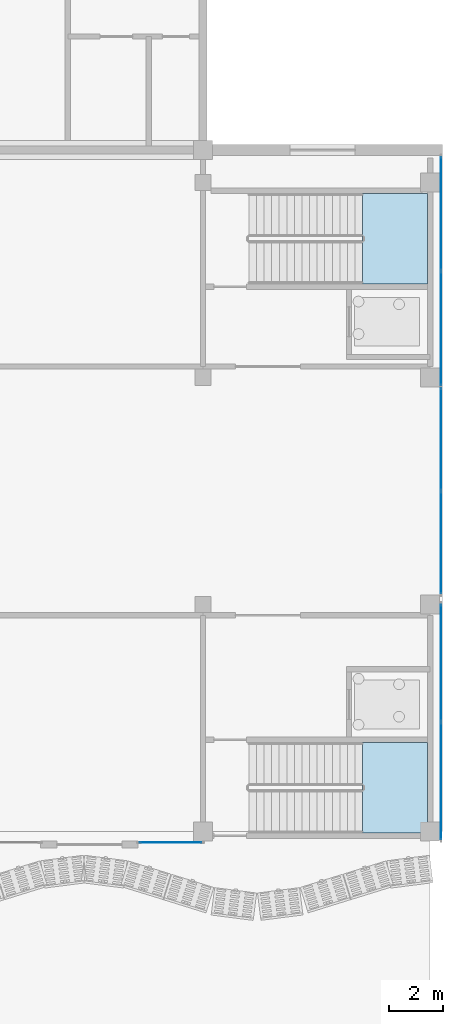
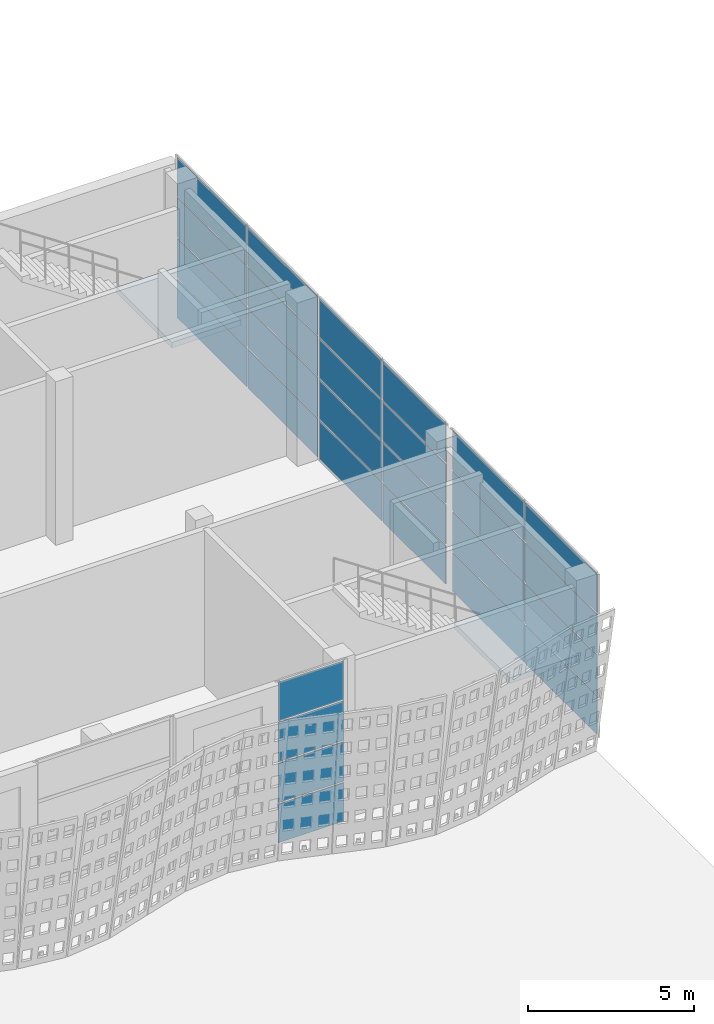
# One storey, part 96 of 210: 28 plates, 2 slabs, 6 elements without a shape of their own.
"""IFC4 building model written with IfcOpenShell, lengths in metres."""

from ifc_helpers import new_model, si_unit, direction, frame, origin, origin_2d, place, context, subcontext, project, spatial, polyline, rectangle, outline, extrude, material, layer, layer_set, type_object, element, aggregate, save


model = new_model("IFC4")

# Units and contexts
model_context = context("Model", 3, precision=1e-05, world=origin(), true_north=direction((0.0, 1.0)))
body_context = subcontext(model_context, "Body", "Model", "MODEL_VIEW")
ifc_project = project(units=[si_unit("LENGTHUNIT", "METRE"), si_unit("AREAUNIT", "SQUARE_METRE"), si_unit("VOLUMEUNIT", "CUBIC_METRE"), si_unit("PLANEANGLEUNIT", "RADIAN"), si_unit("MASSUNIT", "GRAM", prefix="KILO")], contexts=[model_context])

# Site, building, storey
site_placement = place(None, origin())
site = spatial("IfcSite", under=ifc_project, at=site_placement, CompositionType="ELEMENT")
building_placement = place(site_placement, origin())
building = spatial("IfcBuilding", under=site, at=building_placement, Name="Rain Tree Exposition and Congress Centre", CompositionType="ELEMENT")
storey_placement = place(building_placement, origin())
storey = spatial("IfcBuildingStorey", under=building, at=storey_placement, Name="L00", CompositionType="ELEMENT", Elevation=0.0)

# Curtain wall, plates
ifc_material_1 = material(Name="Aluminium curtain wall system", Category="aluminium")
ifc_layer_1 = layer(ifc_material_1, 0.10009765625)
ifc_layer_set_1 = layer_set([ifc_layer_1], Name="Aluminium curtain wall system")
curtain_wall_type = type_object("IfcCurtainWallType", Name="Concourse curtain wall 4200 module", PredefinedType="NOTDEFINED", material=ifc_layer_set_1)
curtain_wall_1_placement = place(storey_placement, origin())
curtain_wall_1 = element("IfcCurtainWall", 1, at=curtain_wall_1_placement, inside=storey, type_object=curtain_wall_type, Name="Concourse curtain wall CWC21", PredefinedType="NOTDEFINED")
ifc_material_2 = material(Name="Laminated low-e glass", Category="glass")
ifc_layer_2 = layer(ifc_material_2, 0.028076171875)
ifc_layer_set_2 = layer_set([ifc_layer_2], Name="Laminated low-e glass")
plate_type = type_object("IfcPlateType", Name="Concourse curtain wall glass panel 28", PredefinedType="CURTAIN_PANEL", material=ifc_layer_set_2)
plate_1_placement = place(storey_placement, frame((259.199951171875, 75.199951171875, 0.06005859375), z_axis=(0.0, 0.0, 1.0), x_axis=(1.0, 0.0, 0.0)))
plate_1 = element("IfcPlate", 2, at=plate_1_placement, type_object=plate_type, Name="CWC21 panel 1.1", PredefinedType="CURTAIN_PANEL", context=body_context, shape_type="SweptSolid", body=[
    extrude(rectangle(XDim=2.280029296875, YDim=0.028076171875, at=origin_2d()), origin(), (0.0, 0.0, 1.0), 1.409912109375),
])
plate_2_placement = place(storey_placement, frame((259.199951171875, 75.199951171875, 1.530029296875), z_axis=(0.0, 0.0, 1.0), x_axis=(1.0, 0.0, 0.0)))
plate_2 = element("IfcPlate", 3, at=plate_2_placement, type_object=plate_type, Name="CWC21 panel 1.2", PredefinedType="CURTAIN_PANEL", context=body_context, shape_type="SweptSolid", body=[
    extrude(rectangle(XDim=2.280029296875, YDim=0.028076171875, at=origin_2d()), origin(), (0.0, 0.0, 1.0), 1.43994140625),
])
plate_3_placement = place(storey_placement, frame((259.199951171875, 75.199951171875, 3.030029296875), z_axis=(0.0, 0.0, 1.0), x_axis=(1.0, 0.0, 0.0)))
plate_3 = element("IfcPlate", 4, at=plate_3_placement, type_object=plate_type, Name="CWC21 panel 1.3", PredefinedType="CURTAIN_PANEL", context=body_context, shape_type="SweptSolid", body=[
    extrude(rectangle(XDim=2.280029296875, YDim=0.028076171875, at=origin_2d()), origin(), (0.0, 0.0, 1.0), 1.43994140625),
])
plate_4_placement = place(storey_placement, frame((259.199951171875, 75.199951171875, 4.5302734375), z_axis=(0.0, 0.0, 1.0), x_axis=(1.0, 0.0, 0.0)))
plate_4 = element("IfcPlate", 5, at=plate_4_placement, type_object=plate_type, Name="CWC21 panel 1.4", PredefinedType="CURTAIN_PANEL", context=body_context, shape_type="SweptSolid", body=[
    extrude(rectangle(XDim=2.280029296875, YDim=0.028076171875, at=origin_2d()), origin(), (0.0, 0.0, 1.0), 1.409912109375),
])
aggregate(curtain_wall_1, [plate_1, plate_2, plate_3, plate_4])

curtain_wall_2_placement = place(storey_placement, origin())
curtain_wall_2 = element("IfcCurtainWall", 6, at=curtain_wall_2_placement, inside=storey, type_object=curtain_wall_type, Name="Concourse curtain wall CWC35", PredefinedType="NOTDEFINED")
plate_5_placement = place(storey_placement, frame((269.199951171875, 77.465087890625, 0.06005859375), z_axis=(0.0, 0.0, 1.0), x_axis=(0.0, 1.0, 0.0)))
plate_5 = element("IfcPlate", 7, at=plate_5_placement, type_object=plate_type, Name="CWC35 panel 1.1", PredefinedType="CURTAIN_PANEL", context=body_context, shape_type="SweptSolid", body=[
    extrude(rectangle(XDim=4.31005859375, YDim=0.028076171875, at=origin_2d()), origin(), (0.0, 0.0, 1.0), 1.409912109375),
])
plate_6_placement = place(storey_placement, frame((269.199951171875, 77.465087890625, 1.530029296875), z_axis=(0.0, 0.0, 1.0), x_axis=(0.0, 1.0, 0.0)))
plate_6 = element("IfcPlate", 8, at=plate_6_placement, type_object=plate_type, Name="CWC35 panel 1.2", PredefinedType="CURTAIN_PANEL", context=body_context, shape_type="SweptSolid", body=[
    extrude(rectangle(XDim=4.31005859375, YDim=0.028076171875, at=origin_2d()), origin(), (0.0, 0.0, 1.0), 1.43994140625),
])
plate_7_placement = place(storey_placement, frame((269.199951171875, 77.465087890625, 3.030029296875), z_axis=(0.0, 0.0, 1.0), x_axis=(0.0, 1.0, 0.0)))
plate_7 = element("IfcPlate", 9, at=plate_7_placement, type_object=plate_type, Name="CWC35 panel 1.3", PredefinedType="CURTAIN_PANEL", context=body_context, shape_type="SweptSolid", body=[
    extrude(rectangle(XDim=4.31005859375, YDim=0.028076171875, at=origin_2d()), origin(), (0.0, 0.0, 1.0), 1.43994140625),
])
plate_8_placement = place(storey_placement, frame((269.199951171875, 77.465087890625, 4.5302734375), z_axis=(0.0, 0.0, 1.0), x_axis=(0.0, 1.0, 0.0)))
plate_8 = element("IfcPlate", 10, at=plate_8_placement, type_object=plate_type, Name="CWC35 panel 1.4", PredefinedType="CURTAIN_PANEL", context=body_context, shape_type="SweptSolid", body=[
    extrude(rectangle(XDim=4.31005859375, YDim=0.028076171875, at=origin_2d()), origin(), (0.0, 0.0, 1.0), 1.409912109375),
])
plate_9_placement = place(storey_placement, frame((269.199951171875, 81.8349609375, 0.06005859375), z_axis=(0.0, 0.0, 1.0), x_axis=(0.0, 1.0, 0.0)))
plate_9 = element("IfcPlate", 11, at=plate_9_placement, type_object=plate_type, Name="CWC35 panel 2.1", PredefinedType="CURTAIN_PANEL", context=body_context, shape_type="SweptSolid", body=[
    extrude(rectangle(XDim=4.31005859375, YDim=0.028076171875, at=origin_2d()), origin(), (0.0, 0.0, 1.0), 1.409912109375),
])
plate_10_placement = place(storey_placement, frame((269.199951171875, 81.8349609375, 1.530029296875), z_axis=(0.0, 0.0, 1.0), x_axis=(0.0, 1.0, 0.0)))
plate_10 = element("IfcPlate", 12, at=plate_10_placement, type_object=plate_type, Name="CWC35 panel 2.2", PredefinedType="CURTAIN_PANEL", context=body_context, shape_type="SweptSolid", body=[
    extrude(rectangle(XDim=4.31005859375, YDim=0.028076171875, at=origin_2d()), origin(), (0.0, 0.0, 1.0), 1.43994140625),
])
plate_11_placement = place(storey_placement, frame((269.199951171875, 81.8349609375, 3.030029296875), z_axis=(0.0, 0.0, 1.0), x_axis=(0.0, 1.0, 0.0)))
plate_11 = element("IfcPlate", 13, at=plate_11_placement, type_object=plate_type, Name="CWC35 panel 2.3", PredefinedType="CURTAIN_PANEL", context=body_context, shape_type="SweptSolid", body=[
    extrude(rectangle(XDim=4.31005859375, YDim=0.028076171875, at=origin_2d()), origin(), (0.0, 0.0, 1.0), 1.43994140625),
])
plate_12_placement = place(storey_placement, frame((269.199951171875, 81.8349609375, 4.5302734375), z_axis=(0.0, 0.0, 1.0), x_axis=(0.0, 1.0, 0.0)))
plate_12 = element("IfcPlate", 14, at=plate_12_placement, type_object=plate_type, Name="CWC35 panel 2.4", PredefinedType="CURTAIN_PANEL", context=body_context, shape_type="SweptSolid", body=[
    extrude(rectangle(XDim=4.31005859375, YDim=0.028076171875, at=origin_2d()), origin(), (0.0, 0.0, 1.0), 1.409912109375),
])
aggregate(curtain_wall_2, [plate_5, plate_6, plate_7, plate_8, plate_9, plate_10, plate_11, plate_12])

curtain_wall_3_placement = place(storey_placement, origin())
curtain_wall_3 = element("IfcCurtainWall", 15, at=curtain_wall_3_placement, inside=storey, type_object=curtain_wall_type, Name="Concourse curtain wall CWC36", PredefinedType="NOTDEFINED")
plate_13_placement = place(storey_placement, frame((269.199951171875, 86.2900390625, 0.06005859375), z_axis=(0.0, 0.0, 1.0), x_axis=(0.0, 1.0, 0.0)))
plate_13 = element("IfcPlate", 16, at=plate_13_placement, type_object=plate_type, Name="CWC36 panel 1.1", PredefinedType="CURTAIN_PANEL", context=body_context, shape_type="SweptSolid", body=[
    extrude(rectangle(XDim=3.760009765625, YDim=0.028076171875, at=origin_2d()), origin(), (0.0, 0.0, 1.0), 1.409912109375),
])
plate_14_placement = place(storey_placement, frame((269.199951171875, 86.2900390625, 1.530029296875), z_axis=(0.0, 0.0, 1.0), x_axis=(0.0, 1.0, 0.0)))
plate_14 = element("IfcPlate", 17, at=plate_14_placement, type_object=plate_type, Name="CWC36 panel 1.2", PredefinedType="CURTAIN_PANEL", context=body_context, shape_type="SweptSolid", body=[
    extrude(rectangle(XDim=3.760009765625, YDim=0.028076171875, at=origin_2d()), origin(), (0.0, 0.0, 1.0), 1.43994140625),
])
plate_15_placement = place(storey_placement, frame((269.199951171875, 86.2900390625, 3.030029296875), z_axis=(0.0, 0.0, 1.0), x_axis=(0.0, 1.0, 0.0)))
plate_15 = element("IfcPlate", 18, at=plate_15_placement, type_object=plate_type, Name="CWC36 panel 1.3", PredefinedType="CURTAIN_PANEL", context=body_context, shape_type="SweptSolid", body=[
    extrude(rectangle(XDim=3.760009765625, YDim=0.028076171875, at=origin_2d()), origin(), (0.0, 0.0, 1.0), 1.43994140625),
])
plate_16_placement = place(storey_placement, frame((269.199951171875, 86.2900390625, 4.5302734375), z_axis=(0.0, 0.0, 1.0), x_axis=(0.0, 1.0, 0.0)))
plate_16 = element("IfcPlate", 19, at=plate_16_placement, type_object=plate_type, Name="CWC36 panel 1.4", PredefinedType="CURTAIN_PANEL", context=body_context, shape_type="SweptSolid", body=[
    extrude(rectangle(XDim=3.760009765625, YDim=0.028076171875, at=origin_2d()), origin(), (0.0, 0.0, 1.0), 1.409912109375),
])
plate_17_placement = place(storey_placement, frame((269.199951171875, 90.110107421875, 0.06005859375), z_axis=(0.0, 0.0, 1.0), x_axis=(0.0, 1.0, 0.0)))
plate_17 = element("IfcPlate", 20, at=plate_17_placement, type_object=plate_type, Name="CWC36 panel 2.1", PredefinedType="CURTAIN_PANEL", context=body_context, shape_type="SweptSolid", body=[
    extrude(rectangle(XDim=3.760009765625, YDim=0.028076171875, at=origin_2d()), origin(), (0.0, 0.0, 1.0), 1.409912109375),
])
plate_18_placement = place(storey_placement, frame((269.199951171875, 90.110107421875, 1.530029296875), z_axis=(0.0, 0.0, 1.0), x_axis=(0.0, 1.0, 0.0)))
plate_18 = element("IfcPlate", 21, at=plate_18_placement, type_object=plate_type, Name="CWC36 panel 2.2", PredefinedType="CURTAIN_PANEL", context=body_context, shape_type="SweptSolid", body=[
    extrude(rectangle(XDim=3.760009765625, YDim=0.028076171875, at=origin_2d()), origin(), (0.0, 0.0, 1.0), 1.43994140625),
])
plate_19_placement = place(storey_placement, frame((269.199951171875, 90.110107421875, 3.030029296875), z_axis=(0.0, 0.0, 1.0), x_axis=(0.0, 1.0, 0.0)))
plate_19 = element("IfcPlate", 22, at=plate_19_placement, type_object=plate_type, Name="CWC36 panel 2.3", PredefinedType="CURTAIN_PANEL", context=body_context, shape_type="SweptSolid", body=[
    extrude(rectangle(XDim=3.760009765625, YDim=0.028076171875, at=origin_2d()), origin(), (0.0, 0.0, 1.0), 1.43994140625),
])
plate_20_placement = place(storey_placement, frame((269.199951171875, 90.110107421875, 4.5302734375), z_axis=(0.0, 0.0, 1.0), x_axis=(0.0, 1.0, 0.0)))
plate_20 = element("IfcPlate", 23, at=plate_20_placement, type_object=plate_type, Name="CWC36 panel 2.4", PredefinedType="CURTAIN_PANEL", context=body_context, shape_type="SweptSolid", body=[
    extrude(rectangle(XDim=3.760009765625, YDim=0.028076171875, at=origin_2d()), origin(), (0.0, 0.0, 1.0), 1.409912109375),
])
aggregate(curtain_wall_3, [plate_13, plate_14, plate_15, plate_16, plate_17, plate_18, plate_19, plate_20])

curtain_wall_4_placement = place(storey_placement, origin())
curtain_wall_4 = element("IfcCurtainWall", 24, at=curtain_wall_4_placement, inside=storey, type_object=curtain_wall_type, Name="Concourse curtain wall CWC37", PredefinedType="NOTDEFINED")
plate_21_placement = place(storey_placement, frame((269.199951171875, 94.202392578125, 0.06005859375), z_axis=(0.0, 0.0, 1.0), x_axis=(0.0, 1.0, 0.0)))
plate_21 = element("IfcPlate", 25, at=plate_21_placement, type_object=plate_type, Name="CWC37 panel 1.1", PredefinedType="CURTAIN_PANEL", context=body_context, shape_type="SweptSolid", body=[
    extrude(rectangle(XDim=4.18505859375, YDim=0.028076171875, at=origin_2d()), origin(), (0.0, 0.0, 1.0), 1.409912109375),
])
plate_22_placement = place(storey_placement, frame((269.199951171875, 94.202392578125, 1.530029296875), z_axis=(0.0, 0.0, 1.0), x_axis=(0.0, 1.0, 0.0)))
plate_22 = element("IfcPlate", 26, at=plate_22_placement, type_object=plate_type, Name="CWC37 panel 1.2", PredefinedType="CURTAIN_PANEL", context=body_context, shape_type="SweptSolid", body=[
    extrude(rectangle(XDim=4.18505859375, YDim=0.028076171875, at=origin_2d()), origin(), (0.0, 0.0, 1.0), 1.43994140625),
])
plate_23_placement = place(storey_placement, frame((269.199951171875, 94.202392578125, 3.030029296875), z_axis=(0.0, 0.0, 1.0), x_axis=(0.0, 1.0, 0.0)))
plate_23 = element("IfcPlate", 27, at=plate_23_placement, type_object=plate_type, Name="CWC37 panel 1.3", PredefinedType="CURTAIN_PANEL", context=body_context, shape_type="SweptSolid", body=[
    extrude(rectangle(XDim=4.18505859375, YDim=0.028076171875, at=origin_2d()), origin(), (0.0, 0.0, 1.0), 1.43994140625),
])
plate_24_placement = place(storey_placement, frame((269.199951171875, 94.202392578125, 4.5302734375), z_axis=(0.0, 0.0, 1.0), x_axis=(0.0, 1.0, 0.0)))
plate_24 = element("IfcPlate", 28, at=plate_24_placement, type_object=plate_type, Name="CWC37 panel 1.4", PredefinedType="CURTAIN_PANEL", context=body_context, shape_type="SweptSolid", body=[
    extrude(rectangle(XDim=4.18505859375, YDim=0.028076171875, at=origin_2d()), origin(), (0.0, 0.0, 1.0), 1.409912109375),
])
plate_25_placement = place(storey_placement, frame((269.199951171875, 98.447509765625, 0.06005859375), z_axis=(0.0, 0.0, 1.0), x_axis=(0.0, 1.0, 0.0)))
plate_25 = element("IfcPlate", 29, at=plate_25_placement, type_object=plate_type, Name="CWC37 panel 2.1", PredefinedType="CURTAIN_PANEL", context=body_context, shape_type="SweptSolid", body=[
    extrude(rectangle(XDim=4.18505859375, YDim=0.028076171875, at=origin_2d()), origin(), (0.0, 0.0, 1.0), 1.409912109375),
])
plate_26_placement = place(storey_placement, frame((269.199951171875, 98.447509765625, 1.530029296875), z_axis=(0.0, 0.0, 1.0), x_axis=(0.0, 1.0, 0.0)))
plate_26 = element("IfcPlate", 30, at=plate_26_placement, type_object=plate_type, Name="CWC37 panel 2.2", PredefinedType="CURTAIN_PANEL", context=body_context, shape_type="SweptSolid", body=[
    extrude(rectangle(XDim=4.18505859375, YDim=0.028076171875, at=origin_2d()), origin(), (0.0, 0.0, 1.0), 1.43994140625),
])
plate_27_placement = place(storey_placement, frame((269.199951171875, 98.447509765625, 3.030029296875), z_axis=(0.0, 0.0, 1.0), x_axis=(0.0, 1.0, 0.0)))
plate_27 = element("IfcPlate", 31, at=plate_27_placement, type_object=plate_type, Name="CWC37 panel 2.3", PredefinedType="CURTAIN_PANEL", context=body_context, shape_type="SweptSolid", body=[
    extrude(rectangle(XDim=4.18505859375, YDim=0.028076171875, at=origin_2d()), origin(), (0.0, 0.0, 1.0), 1.43994140625),
])
plate_28_placement = place(storey_placement, frame((269.199951171875, 98.447509765625, 4.5302734375), z_axis=(0.0, 0.0, 1.0), x_axis=(0.0, 1.0, 0.0)))
plate_28 = element("IfcPlate", 32, at=plate_28_placement, type_object=plate_type, Name="CWC37 panel 2.4", PredefinedType="CURTAIN_PANEL", context=body_context, shape_type="SweptSolid", body=[
    extrude(rectangle(XDim=4.18505859375, YDim=0.028076171875, at=origin_2d()), origin(), (0.0, 0.0, 1.0), 1.409912109375),
])
aggregate(curtain_wall_4, [plate_21, plate_22, plate_23, plate_24, plate_25, plate_26, plate_27, plate_28])

# Stair, slab
ifc_material_3 = material(Name="Precast concrete C50/60", Category="concrete")
stair_type = type_object("IfcStairType", Name="Concourse dogleg stair 1600", PredefinedType="HALF_TURN_STAIR", material=ifc_material_3)
stair_1_placement = place(storey_placement, origin())
stair_1 = element("IfcStair", 33, at=stair_1_placement, inside=storey, type_object=stair_type, Name="L00 Concourse stair", PredefinedType="HALF_TURN_STAIR")
ifc_material_4 = material(Name="Precast concrete C50/60", Category="concrete")
ifc_layer_3 = layer(ifc_material_4, 0.199951171875)
ifc_layer_set_3 = layer_set([ifc_layer_3], Name="Precast concrete C50/60")
slab_type = type_object("IfcSlabType", Name="Concourse stair landing 200", PredefinedType="LANDING", material=ifc_layer_set_3)
slab_1_placement = place(storey_placement, frame((0.0, 0.0, 2.800048828125)))
slab_1 = element("IfcSlab", 34, at=slab_1_placement, type_object=slab_type, Name="ST-C6 landing 1", PredefinedType="LANDING", context=body_context, shape_type="SweptSolid", body=[
    extrude(outline(polyline([(266.300048828125, 75.550048828125), (268.699951171875, 75.550048828125), (268.699951171875, 78.89990234375), (266.300048828125, 78.89990234375), (266.300048828125, 75.550048828125)])), origin(), (0.0, 0.0, 1.0), 0.199951171875),
])
aggregate(stair_1, [slab_1])

stair_2_placement = place(storey_placement, origin())
stair_2 = element("IfcStair", 35, at=stair_2_placement, inside=storey, type_object=stair_type, Name="L00 Concourse stair", PredefinedType="HALF_TURN_STAIR")
slab_2_placement = place(storey_placement, frame((0.0, 0.0, 2.800048828125)))
slab_2 = element("IfcSlab", 36, at=slab_2_placement, type_object=slab_type, Name="ST-C12 landing 1", PredefinedType="LANDING", context=body_context, shape_type="SweptSolid", body=[
    extrude(outline(polyline([(266.300048828125, 95.85009765625), (268.699951171875, 95.85009765625), (268.699951171875, 99.199951171875), (266.300048828125, 99.199951171875), (266.300048828125, 95.85009765625)])), origin(), (0.0, 0.0, 1.0), 0.199951171875),
])
aggregate(stair_2, [slab_2])

save(model, "model.ifc")
